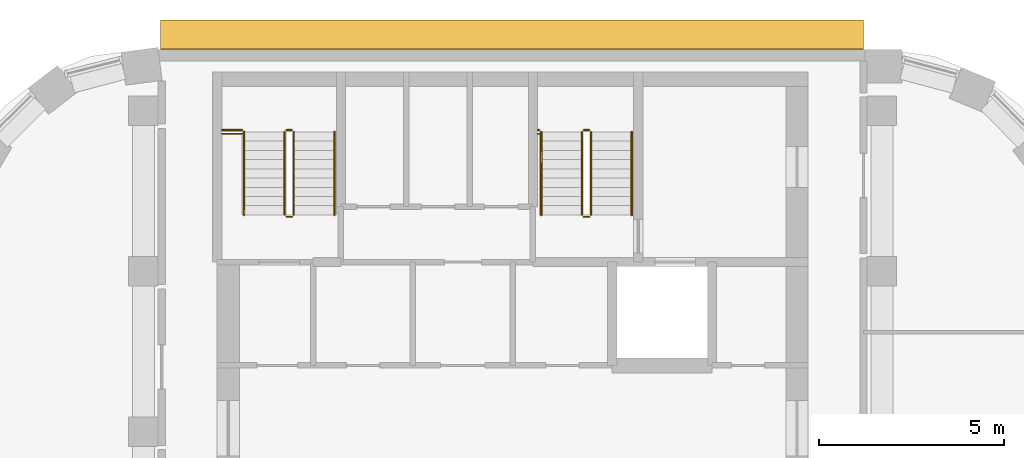
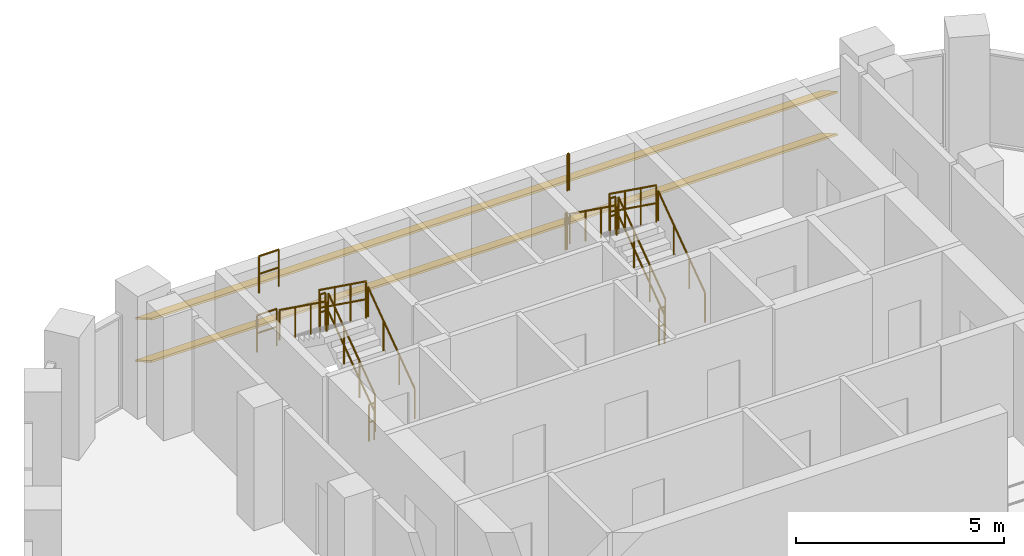
# One storey, part 14 of 14: 16 railings, 2 shading devices.
"""IFC4 building model written with IfcOpenShell, lengths in metres."""

from ifc_helpers import new_model, si_unit, direction, frame, origin, origin_2d, place, context, subcontext, project, spatial, rectangle, circle, extrude, material, material_profile, profile_set, type_object, element, save


model = new_model("IFC4")

# Units and contexts
model_context = context("Model", 3, precision=1e-05, world=origin(), true_north=direction((0.0, 1.0)))
body_context = subcontext(model_context, "Body", "Model", "MODEL_VIEW")
ifc_project = project(units=[si_unit("LENGTHUNIT", "METRE"), si_unit("AREAUNIT", "SQUARE_METRE"), si_unit("VOLUMEUNIT", "CUBIC_METRE"), si_unit("PLANEANGLEUNIT", "RADIAN"), si_unit("MASSUNIT", "GRAM", prefix="KILO")], contexts=[model_context])

# Site, building, storey
site_placement = place(None, origin())
site = spatial("IfcSite", under=ifc_project, at=site_placement, CompositionType="ELEMENT")
building_placement = place(site_placement, origin())
building = spatial("IfcBuilding", under=site, at=building_placement, Name="Nakaniwa Court", CompositionType="ELEMENT")
storey_placement = place(building_placement, frame((0.0, 0.0, 279.60009765625)))
storey = spatial("IfcBuildingStorey", under=building, at=storey_placement, Name="C03", CompositionType="ELEMENT", Elevation=279.60009765625)

# Shading devices
ifc_material_1 = material(Name="Perforated charcoal ceramic louvre blade")
ifc_material_profile = material_profile(ifc_material_1, rectangle(XDim=0.89990234375, YDim=0.050048828125, at=origin_2d()), Name="Perforated ceramic louvre blade")
ifc_profile_set = profile_set([ifc_material_profile], Name="Perforated charcoal ceramic louvre blade")
shading_device_type = type_object("IfcShadingDeviceType", Name="Perforated ceramic louvre blade", PredefinedType="JALOUSIE", material=ifc_profile_set)
for number, where, z_axis, x_axis, name in (
    (1, (89.499267578125, 103.05224609375, 0.5498046875), (-1.0, 0.0, 0.0), (0.0, -0.866025403784, 0.5), "C03 perforated ceramic louvre blade w23 1"),
    (2, (89.499267578125, 103.05224609375, 1.793212890625), (-1.0, 0.0, 0.0), (0.0, -0.866025403784, 0.5), "C03 perforated ceramic louvre blade w23 2"),
):
    element("IfcShadingDevice", number, at=place(storey_placement, frame(where, z_axis=z_axis, x_axis=x_axis)), inside=storey, type_object=shading_device_type, Name=name, PredefinedType="JALOUSIE", context=body_context, shape_type="SweptSolid", body=[
        extrude(rectangle(XDim=0.89990234375, YDim=0.050048828125, at=origin_2d()), origin(), (0.0, 0.0, 1.0), 19.03369140625),
    ])

# Railings
ifc_material_2 = material(Name="Black powder coated steel guard", Category="steel")
railing_type_1 = type_object("IfcRailingType", Name="Stair guard 1100", PredefinedType="GUARDRAIL", material=ifc_material_2)
railing_1_placement = place(storey_placement, frame((74.074951171875, 98.175048828125, 0.179931640625)))
element("IfcRailing", 3, at=railing_1_placement, inside=storey, type_object=railing_type_1, Name="C03 ST1 stair guard 1", PredefinedType="GUARDRAIL", context=body_context, shape_type="SweptSolid", body=[
    extrude(circle(Radius=0.02392578125, at=origin_2d()), frame((0.0, 0.0, 1.076171875), z_axis=(0.0, 0.811556054185, 0.58427456809), x_axis=(-1.0, 0.0, 0.0)), (0.0, 0.0, 1.0), 2.7724609375),
    extrude(circle(Radius=0.02392578125, at=origin_2d()), frame((0.0, 0.0, 0.550048828125), z_axis=(0.0, 0.811556054185, 0.58427456809), x_axis=(-1.0, 0.0, 0.0)), (0.0, 0.0, 1.0), 2.7724609375),
    extrude(circle(Radius=0.02099609375, at=origin_2d()), origin(), (0.0, 0.0, 1.0), 1.052001953125),
    extrude(circle(Radius=0.02099609375, at=origin_2d()), frame((0.0, 0.75, 0.5400390625)), (0.0, 0.0, 1.0), 1.052001953125),
    extrude(circle(Radius=0.02099609375, at=origin_2d()), frame((0.0, 1.5, 1.079833984375)), (0.0, 0.0, 1.0), 1.052001953125),
    extrude(circle(Radius=0.02099609375, at=origin_2d()), frame((0.0, 2.25, 1.619873046875)), (0.0, 0.0, 1.0), 1.052001953125),
])
railing_2_placement = place(storey_placement, frame((74.02490234375, 100.47509765625, 1.7998046875)))
element("IfcRailing", 4, at=railing_2_placement, inside=storey, type_object=railing_type_1, Name="C03 ST1 stair guard 2", PredefinedType="GUARDRAIL", context=body_context, shape_type="SweptSolid", body=[
    extrude(circle(Radius=0.02392578125, at=origin_2d()), frame((0.0, 0.0, 1.076171875), z_axis=(-1.0, 0.0, 0.0), x_axis=(0.0, -1.0, 0.0)), (0.0, 0.0, 1.0), 0.14990234375),
    extrude(circle(Radius=0.02392578125, at=origin_2d()), frame((0.0, 0.0, 0.550048828125), z_axis=(-1.0, 0.0, 0.0), x_axis=(0.0, -1.0, 0.0)), (0.0, 0.0, 1.0), 0.14990234375),
    extrude(circle(Radius=0.02099609375, at=origin_2d()), origin(), (0.0, 0.0, 1.0), 1.052001953125),
    extrude(circle(Radius=0.02099609375, at=origin_2d()), frame((-0.14990234375, 0.0, 0.0)), (0.0, 0.0, 1.0), 1.052001953125),
])
railing_3_placement = place(storey_placement, frame((73.824951171875, 100.425048828125, 1.97998046875)))
element("IfcRailing", 5, at=railing_3_placement, inside=storey, type_object=railing_type_1, Name="C03 ST1 stair guard 3", PredefinedType="GUARDRAIL", context=body_context, shape_type="SweptSolid", body=[
    extrude(circle(Radius=0.02392578125, at=origin_2d()), frame((0.0, 0.0, 1.076171875), z_axis=(0.0, -0.811556054185, 0.58427456809), x_axis=(1.0, 0.0, 0.0)), (0.0, 0.0, 1.0), 2.7724609375),
    extrude(circle(Radius=0.02392578125, at=origin_2d()), frame((0.0, 0.0, 0.550048828125), z_axis=(0.0, -0.811556054185, 0.58427456809), x_axis=(1.0, 0.0, 0.0)), (0.0, 0.0, 1.0), 2.7724609375),
    extrude(circle(Radius=0.02099609375, at=origin_2d()), origin(), (0.0, 0.0, 1.0), 1.052001953125),
    extrude(circle(Radius=0.02099609375, at=origin_2d()), frame((0.0, -0.75, 0.5400390625)), (0.0, 0.0, 1.0), 1.052001953125),
    extrude(circle(Radius=0.02099609375, at=origin_2d()), frame((0.0, -1.5, 1.079833984375)), (0.0, 0.0, 1.0), 1.052001953125),
    extrude(circle(Radius=0.02099609375, at=origin_2d()), frame((0.0, -2.25, 1.619873046875)), (0.0, 0.0, 1.0), 1.052001953125),
])
railing_4_placement = place(storey_placement, frame((74.02490234375, 98.125, 0.0)))
element("IfcRailing", 6, at=railing_4_placement, inside=storey, type_object=railing_type_1, Name="C03 ST1 stair guard 4", PredefinedType="GUARDRAIL", context=body_context, shape_type="SweptSolid", body=[
    extrude(circle(Radius=0.02392578125, at=origin_2d()), frame((0.0, 0.0, 1.076171875), z_axis=(-1.0, 0.0, 0.0), x_axis=(0.0, -1.0, 0.0)), (0.0, 0.0, 1.0), 0.14990234375),
    extrude(circle(Radius=0.02392578125, at=origin_2d()), frame((0.0, 0.0, 0.550048828125), z_axis=(-1.0, 0.0, 0.0), x_axis=(0.0, -1.0, 0.0)), (0.0, 0.0, 1.0), 0.14990234375),
    extrude(circle(Radius=0.02099609375, at=origin_2d()), origin(), (0.0, 0.0, 1.0), 1.052001953125),
    extrude(circle(Radius=0.02099609375, at=origin_2d()), frame((-0.14990234375, 0.0, 0.0)), (0.0, 0.0, 1.0), 1.052001953125),
])
for number, where, name in (
    (7, (72.125, 100.47509765625, 1.7998046875), "C03 ST1 landing side guard 1W"),
    (8, (72.125, 100.375, 3.599853515625), "C03 ST1 floor edge guard 1W"),
):
    element("IfcRailing", number, at=place(storey_placement, frame(where)), inside=storey, type_object=railing_type_1, Name=name, PredefinedType="GUARDRAIL", context=body_context, shape_type="SweptSolid", body=[
        extrude(circle(Radius=0.02392578125, at=origin_2d()), frame((0.0, 0.0, 1.076171875), z_axis=(1.0, 0.0, 0.0), x_axis=(0.0, 1.0, 0.0)), (0.0, 0.0, 1.0), 0.550048828125),
        extrude(circle(Radius=0.02392578125, at=origin_2d()), frame((0.0, 0.0, 0.550048828125), z_axis=(1.0, 0.0, 0.0), x_axis=(0.0, 1.0, 0.0)), (0.0, 0.0, 1.0), 0.550048828125),
        extrude(circle(Radius=0.02099609375, at=origin_2d()), origin(), (0.0, 0.0, 1.0), 1.052001953125),
        extrude(circle(Radius=0.02099609375, at=origin_2d()), frame((0.550048828125, 0.0, 0.0)), (0.0, 0.0, 1.0), 1.052001953125),
    ])
railing_5_placement = place(storey_placement, frame((82.125, 98.175048828125, 0.179931640625)))
element("IfcRailing", 9, at=railing_5_placement, inside=storey, type_object=railing_type_1, Name="C03 ST2 stair guard 1", PredefinedType="GUARDRAIL", context=body_context, shape_type="SweptSolid", body=[
    extrude(circle(Radius=0.02392578125, at=origin_2d()), frame((0.0, 0.0, 1.076171875), z_axis=(0.0, 0.811556054185, 0.58427456809), x_axis=(-1.0, 0.0, 0.0)), (0.0, 0.0, 1.0), 2.7724609375),
    extrude(circle(Radius=0.02392578125, at=origin_2d()), frame((0.0, 0.0, 0.550048828125), z_axis=(0.0, 0.811556054185, 0.58427456809), x_axis=(-1.0, 0.0, 0.0)), (0.0, 0.0, 1.0), 2.7724609375),
    extrude(circle(Radius=0.02099609375, at=origin_2d()), origin(), (0.0, 0.0, 1.0), 1.052001953125),
    extrude(circle(Radius=0.02099609375, at=origin_2d()), frame((0.0, 0.75, 0.5400390625)), (0.0, 0.0, 1.0), 1.052001953125),
    extrude(circle(Radius=0.02099609375, at=origin_2d()), frame((0.0, 1.5, 1.079833984375)), (0.0, 0.0, 1.0), 1.052001953125),
    extrude(circle(Radius=0.02099609375, at=origin_2d()), frame((0.0, 2.25, 1.619873046875)), (0.0, 0.0, 1.0), 1.052001953125),
])
railing_6_placement = place(storey_placement, frame((82.074951171875, 100.47509765625, 1.7998046875)))
element("IfcRailing", 10, at=railing_6_placement, inside=storey, type_object=railing_type_1, Name="C03 ST2 stair guard 2", PredefinedType="GUARDRAIL", context=body_context, shape_type="SweptSolid", body=[
    extrude(circle(Radius=0.02392578125, at=origin_2d()), frame((0.0, 0.0, 1.076171875), z_axis=(-1.0, 0.0, 0.0), x_axis=(0.0, -1.0, 0.0)), (0.0, 0.0, 1.0), 0.14990234375),
    extrude(circle(Radius=0.02392578125, at=origin_2d()), frame((0.0, 0.0, 0.550048828125), z_axis=(-1.0, 0.0, 0.0), x_axis=(0.0, -1.0, 0.0)), (0.0, 0.0, 1.0), 0.14990234375),
    extrude(circle(Radius=0.02099609375, at=origin_2d()), origin(), (0.0, 0.0, 1.0), 1.052001953125),
    extrude(circle(Radius=0.02099609375, at=origin_2d()), frame((-0.14990234375, 0.0, 0.0)), (0.0, 0.0, 1.0), 1.052001953125),
])
railing_7_placement = place(storey_placement, frame((81.875, 100.425048828125, 1.97998046875)))
element("IfcRailing", 11, at=railing_7_placement, inside=storey, type_object=railing_type_1, Name="C03 ST2 stair guard 3", PredefinedType="GUARDRAIL", context=body_context, shape_type="SweptSolid", body=[
    extrude(circle(Radius=0.02392578125, at=origin_2d()), frame((0.0, 0.0, 1.076171875), z_axis=(0.0, -0.811556054185, 0.58427456809), x_axis=(1.0, 0.0, 0.0)), (0.0, 0.0, 1.0), 2.7724609375),
    extrude(circle(Radius=0.02392578125, at=origin_2d()), frame((0.0, 0.0, 0.550048828125), z_axis=(0.0, -0.811556054185, 0.58427456809), x_axis=(1.0, 0.0, 0.0)), (0.0, 0.0, 1.0), 2.7724609375),
    extrude(circle(Radius=0.02099609375, at=origin_2d()), origin(), (0.0, 0.0, 1.0), 1.052001953125),
    extrude(circle(Radius=0.02099609375, at=origin_2d()), frame((0.0, -0.75, 0.5400390625)), (0.0, 0.0, 1.0), 1.052001953125),
    extrude(circle(Radius=0.02099609375, at=origin_2d()), frame((0.0, -1.5, 1.079833984375)), (0.0, 0.0, 1.0), 1.052001953125),
    extrude(circle(Radius=0.02099609375, at=origin_2d()), frame((0.0, -2.25, 1.619873046875)), (0.0, 0.0, 1.0), 1.052001953125),
])
railing_8_placement = place(storey_placement, frame((82.074951171875, 98.125, 0.0)))
element("IfcRailing", 12, at=railing_8_placement, inside=storey, type_object=railing_type_1, Name="C03 ST2 stair guard 4", PredefinedType="GUARDRAIL", context=body_context, shape_type="SweptSolid", body=[
    extrude(circle(Radius=0.02392578125, at=origin_2d()), frame((0.0, 0.0, 1.076171875), z_axis=(-1.0, 0.0, 0.0), x_axis=(0.0, -1.0, 0.0)), (0.0, 0.0, 1.0), 0.14990234375),
    extrude(circle(Radius=0.02392578125, at=origin_2d()), frame((0.0, 0.0, 0.550048828125), z_axis=(-1.0, 0.0, 0.0), x_axis=(0.0, -1.0, 0.0)), (0.0, 0.0, 1.0), 0.14990234375),
    extrude(circle(Radius=0.02099609375, at=origin_2d()), origin(), (0.0, 0.0, 1.0), 1.052001953125),
    extrude(circle(Radius=0.02099609375, at=origin_2d()), frame((-0.14990234375, 0.0, 0.0)), (0.0, 0.0, 1.0), 1.052001953125),
])
for number, where, name in (
    (13, (80.675048828125, 100.47509765625, 1.7998046875), "C03 ST2 landing side guard 1W"),
    (14, (80.675048828125, 100.375, 3.599853515625), "C03 ST2 floor edge guard 1W"),
):
    element("IfcRailing", number, at=place(storey_placement, frame(where)), inside=storey, type_object=railing_type_1, Name=name, PredefinedType="GUARDRAIL", context=body_context, shape_type="SweptSolid", body=[
        extrude(circle(Radius=0.02392578125, at=origin_2d()), frame((0.0, 0.0, 1.076171875), z_axis=(1.0, 0.0, 0.0), x_axis=(0.0, 1.0, 0.0)), (0.0, 0.0, 1.0), 0.050048828125),
        extrude(circle(Radius=0.02392578125, at=origin_2d()), frame((0.0, 0.0, 0.550048828125), z_axis=(1.0, 0.0, 0.0), x_axis=(0.0, 1.0, 0.0)), (0.0, 0.0, 1.0), 0.050048828125),
        extrude(circle(Radius=0.02099609375, at=origin_2d()), origin(), (0.0, 0.0, 1.0), 1.052001953125),
        extrude(circle(Radius=0.02099609375, at=origin_2d()), frame((0.050048828125, 0.0, 0.0)), (0.0, 0.0, 1.0), 1.052001953125),
    ])
ifc_material_3 = material(Name="Black powder coated steel handrail", Category="steel")
railing_type_2 = type_object("IfcRailingType", Name="Stair handrail 900", PredefinedType="HANDRAIL", material=ifc_material_3)
railing_9_placement = place(storey_placement, frame((75.175048828125, 98.175048828125, 0.179931640625)))
element("IfcRailing", 15, at=railing_9_placement, inside=storey, type_object=railing_type_2, Name="C03 ST1 stair handrail 1", PredefinedType="HANDRAIL", context=body_context, shape_type="SweptSolid", body=[
    extrude(circle(Radius=0.02392578125, at=origin_2d()), frame((0.0, 0.0, 0.8759765625), z_axis=(0.0, 0.811556054185, 0.58427456809), x_axis=(-1.0, 0.0, 0.0)), (0.0, 0.0, 1.0), 2.7724609375),
    extrude(circle(Radius=0.02099609375, at=origin_2d()), origin(), (0.0, 0.0, 1.0), 0.851806640625),
    extrude(circle(Radius=0.02099609375, at=origin_2d()), frame((0.0, 0.75, 0.5400390625)), (0.0, 0.0, 1.0), 0.851806640625),
    extrude(circle(Radius=0.02099609375, at=origin_2d()), frame((0.0, 1.5, 1.079833984375)), (0.0, 0.0, 1.0), 0.851806640625),
    extrude(circle(Radius=0.02099609375, at=origin_2d()), frame((0.0, 2.25, 1.619873046875)), (0.0, 0.0, 1.0), 0.851806640625),
])
railing_10_placement = place(storey_placement, frame((72.72509765625, 100.425048828125, 1.97998046875)))
element("IfcRailing", 16, at=railing_10_placement, inside=storey, type_object=railing_type_2, Name="C03 ST1 stair handrail 2", PredefinedType="HANDRAIL", context=body_context, shape_type="SweptSolid", body=[
    extrude(circle(Radius=0.02392578125, at=origin_2d()), frame((0.0, 0.0, 0.8759765625), z_axis=(0.0, -0.811556054185, 0.58427456809), x_axis=(1.0, 0.0, 0.0)), (0.0, 0.0, 1.0), 2.7724609375),
    extrude(circle(Radius=0.02099609375, at=origin_2d()), origin(), (0.0, 0.0, 1.0), 0.851806640625),
    extrude(circle(Radius=0.02099609375, at=origin_2d()), frame((0.0, -0.75, 0.5400390625)), (0.0, 0.0, 1.0), 0.851806640625),
    extrude(circle(Radius=0.02099609375, at=origin_2d()), frame((0.0, -1.5, 1.079833984375)), (0.0, 0.0, 1.0), 0.851806640625),
    extrude(circle(Radius=0.02099609375, at=origin_2d()), frame((0.0, -2.25, 1.619873046875)), (0.0, 0.0, 1.0), 0.851806640625),
])
railing_11_placement = place(storey_placement, frame((83.22509765625, 98.175048828125, 0.179931640625)))
element("IfcRailing", 17, at=railing_11_placement, inside=storey, type_object=railing_type_2, Name="C03 ST2 stair handrail 1", PredefinedType="HANDRAIL", context=body_context, shape_type="SweptSolid", body=[
    extrude(circle(Radius=0.02392578125, at=origin_2d()), frame((0.0, 0.0, 0.8759765625), z_axis=(0.0, 0.811556054185, 0.58427456809), x_axis=(-1.0, 0.0, 0.0)), (0.0, 0.0, 1.0), 2.7724609375),
    extrude(circle(Radius=0.02099609375, at=origin_2d()), origin(), (0.0, 0.0, 1.0), 0.851806640625),
    extrude(circle(Radius=0.02099609375, at=origin_2d()), frame((0.0, 0.75, 0.5400390625)), (0.0, 0.0, 1.0), 0.851806640625),
    extrude(circle(Radius=0.02099609375, at=origin_2d()), frame((0.0, 1.5, 1.079833984375)), (0.0, 0.0, 1.0), 0.851806640625),
    extrude(circle(Radius=0.02099609375, at=origin_2d()), frame((0.0, 2.25, 1.619873046875)), (0.0, 0.0, 1.0), 0.851806640625),
])
railing_12_placement = place(storey_placement, frame((80.77490234375, 100.425048828125, 1.97998046875)))
element("IfcRailing", 18, at=railing_12_placement, inside=storey, type_object=railing_type_2, Name="C03 ST2 stair handrail 2", PredefinedType="HANDRAIL", context=body_context, shape_type="SweptSolid", body=[
    extrude(circle(Radius=0.02392578125, at=origin_2d()), frame((0.0, 0.0, 0.8759765625), z_axis=(0.0, -0.811556054185, 0.58427456809), x_axis=(1.0, 0.0, 0.0)), (0.0, 0.0, 1.0), 2.7724609375),
    extrude(circle(Radius=0.02099609375, at=origin_2d()), origin(), (0.0, 0.0, 1.0), 0.851806640625),
    extrude(circle(Radius=0.02099609375, at=origin_2d()), frame((0.0, -0.75, 0.5400390625)), (0.0, 0.0, 1.0), 0.851806640625),
    extrude(circle(Radius=0.02099609375, at=origin_2d()), frame((0.0, -1.5, 1.079833984375)), (0.0, 0.0, 1.0), 0.851806640625),
    extrude(circle(Radius=0.02099609375, at=origin_2d()), frame((0.0, -2.25, 1.619873046875)), (0.0, 0.0, 1.0), 0.851806640625),
])

save(model, "model.ifc")
